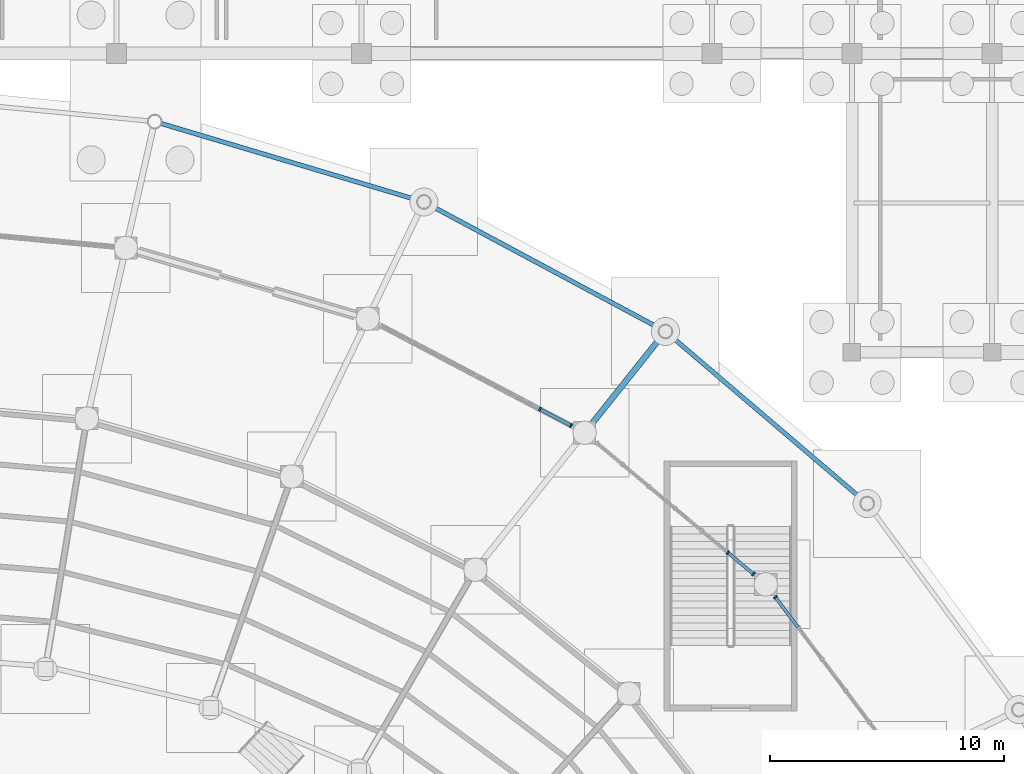
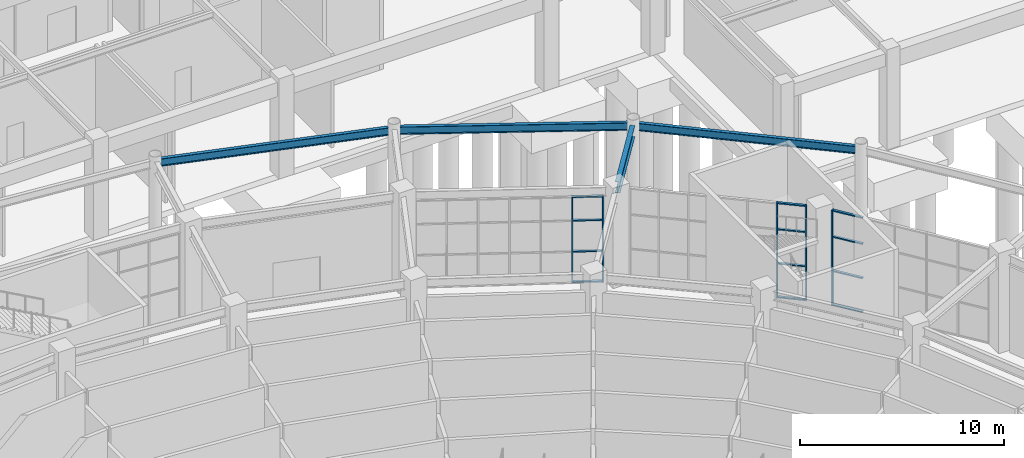
# One storey, part 51 of 121: 17 members, 4 beams, 3 elements without a shape of their own.
"""IFC4 building model written with IfcOpenShell, lengths in metres."""

from ifc_helpers import new_model, si_unit, direction, frame, origin, origin_2d, place, context, subcontext, project, spatial, rectangle, i_section, extrude, material, material_profile, profile_set, type_object, element, aggregate, save


model = new_model("IFC4")

# Units and contexts
model_context = context("Model", 3, precision=1e-05, world=origin(), true_north=direction((0.0, 1.0)))
body_context = subcontext(model_context, "Body", "Model", "MODEL_VIEW")
ifc_project = project(units=[si_unit("LENGTHUNIT", "METRE"), si_unit("AREAUNIT", "SQUARE_METRE"), si_unit("VOLUMEUNIT", "CUBIC_METRE"), si_unit("PLANEANGLEUNIT", "RADIAN"), si_unit("MASSUNIT", "GRAM", prefix="KILO")], contexts=[model_context])

# Site, building, storey
site_placement = place(None, origin())
site = spatial("IfcSite", under=ifc_project, at=site_placement, CompositionType="ELEMENT")
building_placement = place(site_placement, origin())
building = spatial("IfcBuilding", under=site, at=building_placement, Name="Cuetzalor Civic Arena", CompositionType="ELEMENT")
storey_placement = place(building_placement, origin())
storey = spatial("IfcBuildingStorey", under=building, at=storey_placement, Name="L00", CompositionType="ELEMENT", Elevation=0.0)

# Curtain wall, member
ifc_material_1 = material(Name="Anodised dark bronze aluminium and low-E solar glass", Category="aluminium")
curtain_wall_type_1 = type_object("IfcCurtainWallType", Name="UnitisedCW_8450x5700", PredefinedType="USERDEFINED", material=ifc_material_1)
curtain_wall_1_placement = place(storey_placement, origin())
curtain_wall_1 = element("IfcCurtainWall", 1, at=curtain_wall_1_placement, inside=storey, type_object=curtain_wall_type_1, Name="Drum Ground Recessed Concourse Curtain Wall L00-002", ObjectType="UNITISED CURTAIN WALL", PredefinedType="USERDEFINED")
ifc_material_2 = material(Name="Anodised dark bronze aluminium", Category="aluminium")
ifc_material_profile_1 = material_profile(ifc_material_2, rectangle(XDim=0.070068359375, YDim=0.179931640625, at=origin_2d()), Name="ALU MULLION 70x180")
ifc_profile_set_1 = profile_set([ifc_material_profile_1], Name="Anodised dark bronze aluminium")
member_type_1 = type_object("IfcMemberType", Name="CurtainWallMullion_65x180", PredefinedType="MULLION", material=ifc_profile_set_1)
member_1_placement = place(storey_placement, frame((38.71923828125, 25.017822265625, 0.0), z_axis=(0.0, 0.0, 1.0), x_axis=(0.600491594925, -0.799631067696, 0.0)))
member_1 = element("IfcMember", 2, at=member_1_placement, type_object=member_type_1, Name="CW-02 mullion 1", PredefinedType="MULLION", context=body_context, shape_type="SweptSolid", body=[
    extrude(rectangle(XDim=0.070068359375, YDim=0.179931640625, at=origin_2d()), origin(), (0.0, 0.0, 1.0), 5.699951171875),
])

# Curtain wall, members
ifc_material_3 = material(Name="Anodised dark bronze aluminium and low-E solar glass", Category="aluminium")
curtain_wall_type_2 = type_object("IfcCurtainWallType", Name="UnitisedCW_8800x5700", PredefinedType="USERDEFINED", material=ifc_material_3)
curtain_wall_2_placement = place(storey_placement, origin())
curtain_wall_2 = element("IfcCurtainWall", 3, at=curtain_wall_2_placement, inside=storey, type_object=curtain_wall_type_2, Name="Drum Ground Recessed Concourse Curtain Wall L00-003", ObjectType="UNITISED CURTAIN WALL", PredefinedType="USERDEFINED")
member_2_placement = place(storey_placement, frame((36.68359375, 26.923583984375, 0.0), z_axis=(0.0, 0.0, 1.0), x_axis=(0.766928030459, -0.641733119059, 0.0)))
member_2 = element("IfcMember", 4, at=member_2_placement, type_object=member_type_1, Name="CW-03 mullion 6", PredefinedType="MULLION", context=body_context, shape_type="SweptSolid", body=[
    extrude(rectangle(XDim=0.070068359375, YDim=0.179931640625, at=origin_2d()), origin(), (0.0, 0.0, 1.0), 5.699951171875),
])
member_3_placement = place(storey_placement, frame((37.783447265625, 26.00341796875, 0.0), z_axis=(0.0, 0.0, 1.0), x_axis=(0.766928030459, -0.641733119059, 0.0)))
member_3 = element("IfcMember", 5, at=member_3_placement, type_object=member_type_1, Name="CW-03 mullion 7", PredefinedType="MULLION", context=body_context, shape_type="SweptSolid", body=[
    extrude(rectangle(XDim=0.070068359375, YDim=0.179931640625, at=origin_2d()), origin(), (0.0, 0.0, 1.0), 5.699951171875),
])

ifc_material_4 = material(Name="Anodised dark bronze aluminium and low-E solar glass", Category="aluminium")
curtain_wall_type_3 = type_object("IfcCurtainWallType", Name="UnitisedCW_9250x5150", PredefinedType="USERDEFINED", material=ifc_material_4)
curtain_wall_3_placement = place(storey_placement, origin())
curtain_wall_3 = element("IfcCurtainWall", 6, at=curtain_wall_3_placement, inside=storey, type_object=curtain_wall_type_3, Name="Drum Ground Recessed Concourse Curtain Wall L00-004", ObjectType="UNITISED CURTAIN WALL", PredefinedType="USERDEFINED")
member_4_placement = place(storey_placement, frame((28.634521484375, 33.0625, 0.0), z_axis=(0.0, 0.0, 1.0), x_axis=(0.885118421147, -0.465365856662, 0.0)))
member_4 = element("IfcMember", 7, at=member_4_placement, type_object=member_type_1, Name="CW-04 mullion 6", PredefinedType="MULLION", context=body_context, shape_type="SweptSolid", body=[
    extrude(rectangle(XDim=0.070068359375, YDim=0.179931640625, at=origin_2d()), origin(), (0.0, 0.0, 1.0), 5.156982421875),
])
member_5_placement = place(storey_placement, frame((29.968017578125, 32.361572265625, 0.0), z_axis=(0.0, 0.0, 1.0), x_axis=(0.885118421147, -0.465365856662, 0.0)))
member_5 = element("IfcMember", 8, at=member_5_placement, type_object=member_type_1, Name="CW-04 mullion 7", PredefinedType="MULLION", context=body_context, shape_type="SweptSolid", body=[
    extrude(rectangle(XDim=0.070068359375, YDim=0.179931640625, at=origin_2d()), origin(), (0.0, 0.0, 1.0), 5.156982421875),
])

# Member
ifc_material_5 = material(Name="Anodised dark bronze aluminium", Category="aluminium")
ifc_material_profile_2 = material_profile(ifc_material_5, rectangle(XDim=0.139892578125, YDim=0.070068359375, at=origin_2d()), Name="ALU TRANSOM 70x140")
ifc_profile_set_2 = profile_set([ifc_material_profile_2], Name="Anodised dark bronze aluminium")
member_type_2 = type_object("IfcMemberType", Name="CurtainWallTransom_65x140", PredefinedType="USERDEFINED", material=ifc_profile_set_2)
member_6_placement = place(storey_placement, frame((38.740234375, 24.98974609375, 0.034912109375), z_axis=(0.600518840652, -0.799610606496, 0.0), x_axis=(0.799610606496, 0.600518840652, 0.0)))
member_6 = element("IfcMember", 9, at=member_6_placement, type_object=member_type_2, Name="CW-02 transom 1.1", ObjectType="TRANSOM", PredefinedType="USERDEFINED", context=body_context, shape_type="SweptSolid", body=[
    extrude(rectangle(XDim=0.139892578125, YDim=0.070068359375, at=origin_2d()), origin(), (0.0, 0.0, 1.0), 1.58056640625),
])

member_7_placement = place(storey_placement, frame((38.740234375, 24.98974609375, 2.052001953125), z_axis=(0.600518840652, -0.799610606496, 0.0), x_axis=(0.799610606496, 0.600518840652, 0.0)))
member_7 = element("IfcMember", 10, at=member_7_placement, type_object=member_type_2, Name="CW-02 transom 1.2", ObjectType="TRANSOM", PredefinedType="USERDEFINED", context=body_context, shape_type="SweptSolid", body=[
    extrude(rectangle(XDim=0.139892578125, YDim=0.070068359375, at=origin_2d()), origin(), (0.0, 0.0, 1.0), 1.58056640625),
])

member_8_placement = place(storey_placement, frame((38.740234375, 24.98974609375, 4.10400390625), z_axis=(0.600518840652, -0.799610606496, 0.0), x_axis=(0.799610606496, 0.600518840652, 0.0)))
member_8 = element("IfcMember", 11, at=member_8_placement, type_object=member_type_2, Name="CW-02 transom 1.3", ObjectType="TRANSOM", PredefinedType="USERDEFINED", context=body_context, shape_type="SweptSolid", body=[
    extrude(rectangle(XDim=0.139892578125, YDim=0.070068359375, at=origin_2d()), origin(), (0.0, 0.0, 1.0), 1.58056640625),
])

member_9_placement = place(storey_placement, frame((38.740234375, 24.98974609375, 5.6650390625), z_axis=(0.600518840652, -0.799610606496, 0.0), x_axis=(0.799610606496, 0.600518840652, 0.0)))
member_9 = element("IfcMember", 12, at=member_9_placement, type_object=member_type_2, Name="CW-02 transom 1.4", ObjectType="TRANSOM", PredefinedType="USERDEFINED", context=body_context, shape_type="SweptSolid", body=[
    extrude(rectangle(XDim=0.139892578125, YDim=0.070068359375, at=origin_2d()), origin(), (0.0, 0.0, 1.0), 1.58056640625),
])

aggregate(curtain_wall_1, [member_1, member_6, member_7, member_8, member_9])

member_10_placement = place(storey_placement, frame((36.71044921875, 26.901123046875, 0.034912109375), z_axis=(0.766972759582, -0.641679660001, 0.0), x_axis=(0.641679660001, 0.766972759582, 0.0)))
member_10 = element("IfcMember", 13, at=member_10_placement, type_object=member_type_2, Name="CW-03 transom 6.1", ObjectType="TRANSOM", PredefinedType="USERDEFINED", context=body_context, shape_type="SweptSolid", body=[
    extrude(rectangle(XDim=0.139892578125, YDim=0.070068359375, at=origin_2d()), origin(), (0.0, 0.0, 1.0), 1.364013671875),
])

member_11_placement = place(storey_placement, frame((36.71044921875, 26.901123046875, 2.052001953125), z_axis=(0.766972759582, -0.641679660001, 0.0), x_axis=(0.641679660001, 0.766972759582, 0.0)))
member_11 = element("IfcMember", 14, at=member_11_placement, type_object=member_type_2, Name="CW-03 transom 6.2", ObjectType="TRANSOM", PredefinedType="USERDEFINED", context=body_context, shape_type="SweptSolid", body=[
    extrude(rectangle(XDim=0.139892578125, YDim=0.070068359375, at=origin_2d()), origin(), (0.0, 0.0, 1.0), 1.364013671875),
])

member_12_placement = place(storey_placement, frame((36.71044921875, 26.901123046875, 4.10400390625), z_axis=(0.766972759582, -0.641679660001, 0.0), x_axis=(0.641679660001, 0.766972759582, 0.0)))
member_12 = element("IfcMember", 15, at=member_12_placement, type_object=member_type_2, Name="CW-03 transom 6.3", ObjectType="TRANSOM", PredefinedType="USERDEFINED", context=body_context, shape_type="SweptSolid", body=[
    extrude(rectangle(XDim=0.139892578125, YDim=0.070068359375, at=origin_2d()), origin(), (0.0, 0.0, 1.0), 1.364013671875),
])

member_13_placement = place(storey_placement, frame((36.71044921875, 26.901123046875, 5.6650390625), z_axis=(0.766972759582, -0.641679660001, 0.0), x_axis=(0.641679660001, 0.766972759582, 0.0)))
member_13 = element("IfcMember", 16, at=member_13_placement, type_object=member_type_2, Name="CW-03 transom 6.4", ObjectType="TRANSOM", PredefinedType="USERDEFINED", context=body_context, shape_type="SweptSolid", body=[
    extrude(rectangle(XDim=0.139892578125, YDim=0.070068359375, at=origin_2d()), origin(), (0.0, 0.0, 1.0), 1.364013671875),
])

aggregate(curtain_wall_2, [member_2, member_3, member_10, member_11, member_12, member_13])

member_14_placement = place(storey_placement, frame((28.66552734375, 33.04638671875, 0.034912109375), z_axis=(0.885098761997, -0.465403246134, 0.0), x_axis=(0.465403246134, 0.885098761997, 0.0)))
member_14 = element("IfcMember", 17, at=member_14_placement, type_object=member_type_2, Name="CW-04 transom 6.1", ObjectType="TRANSOM", PredefinedType="USERDEFINED", context=body_context, shape_type="SweptSolid", body=[
    extrude(rectangle(XDim=0.139892578125, YDim=0.070068359375, at=origin_2d()), origin(), (0.0, 0.0, 1.0), 1.436767578125),
])

member_15_placement = place(storey_placement, frame((28.66552734375, 33.04638671875, 1.85693359375), z_axis=(0.885098761997, -0.465403246134, 0.0), x_axis=(0.465403246134, 0.885098761997, 0.0)))
member_15 = element("IfcMember", 18, at=member_15_placement, type_object=member_type_2, Name="CW-04 transom 6.2", ObjectType="TRANSOM", PredefinedType="USERDEFINED", context=body_context, shape_type="SweptSolid", body=[
    extrude(rectangle(XDim=0.139892578125, YDim=0.070068359375, at=origin_2d()), origin(), (0.0, 0.0, 1.0), 1.436767578125),
])

member_16_placement = place(storey_placement, frame((28.66552734375, 33.04638671875, 3.712890625), z_axis=(0.885098761997, -0.465403246134, 0.0), x_axis=(0.465403246134, 0.885098761997, 0.0)))
member_16 = element("IfcMember", 19, at=member_16_placement, type_object=member_type_2, Name="CW-04 transom 6.3", ObjectType="TRANSOM", PredefinedType="USERDEFINED", context=body_context, shape_type="SweptSolid", body=[
    extrude(rectangle(XDim=0.139892578125, YDim=0.070068359375, at=origin_2d()), origin(), (0.0, 0.0, 1.0), 1.436767578125),
])

member_17_placement = place(storey_placement, frame((28.66552734375, 33.04638671875, 5.1220703125), z_axis=(0.885098761997, -0.465403246134, 0.0), x_axis=(0.465403246134, 0.885098761997, 0.0)))
member_17 = element("IfcMember", 20, at=member_17_placement, type_object=member_type_2, Name="CW-04 transom 6.4", ObjectType="TRANSOM", PredefinedType="USERDEFINED", context=body_context, shape_type="SweptSolid", body=[
    extrude(rectangle(XDim=0.139892578125, YDim=0.070068359375, at=origin_2d()), origin(), (0.0, 0.0, 1.0), 1.436767578125),
])

aggregate(curtain_wall_3, [member_4, member_5, member_14, member_15, member_16, member_17])

# Beams
ifc_material_6 = material(Name="Steel S355", Category="steel")
ifc_material_profile_3 = material_profile(ifc_material_6, i_section(OverallWidth=0.18994140625, OverallDepth=0.45703125, WebThickness=0.009033203125, FlangeThickness=0.014404296875, at=origin_2d()), Name="W460x74")
ifc_profile_set_3 = profile_set([ifc_material_profile_3], Name="Steel S355")
beam_type_1 = type_object("IfcBeamType", Name="FacadeSpandrelBeam_W460", PredefinedType="SPANDREL", material=ifc_profile_set_3)
beam_1_placement = place(storey_placement, frame((42.42822265625, 29.211669921875, 5.471435546875), z_axis=(-0.760676650628, 0.649130983076, 0.0), x_axis=(-0.649130983076, -0.760676650628, 0.0)))
element("IfcBeam", 21, at=beam_1_placement, inside=storey, type_object=beam_type_1, Name="Drum Perimeter Spandrel L00-S04", PredefinedType="SPANDREL", context=body_context, shape_type="SweptSolid", body=[
    extrude(i_section(OverallWidth=0.18994140625, OverallDepth=0.45703125, WebThickness=0.009033203125, FlangeThickness=0.014404296875, at=origin_2d()), origin(), (0.0, 0.0, 1.0), 10.77490234375),
])
beam_2_placement = place(storey_placement, frame((33.755859375, 36.53125, 5.471435546875), z_axis=(-0.881304552514, 0.472548712534, 0.0), x_axis=(-0.472548712534, -0.881304552514, 0.0)))
element("IfcBeam", 22, at=beam_2_placement, inside=storey, type_object=beam_type_1, Name="Drum Perimeter Spandrel L00-S05", PredefinedType="SPANDREL", context=body_context, shape_type="SweptSolid", body=[
    extrude(i_section(OverallWidth=0.18994140625, OverallDepth=0.45703125, WebThickness=0.009033203125, FlangeThickness=0.014404296875, at=origin_2d()), origin(), (0.0, 0.0, 1.0), 11.156005859375),
])
beam_3_placement = place(storey_placement, frame((23.390380859375, 42.023193359375, 5.471435546875), z_axis=(-0.958199215373, 0.28610184141, 0.0), x_axis=(-0.28610184141, -0.958199215373, 0.0)))
element("IfcBeam", 23, at=beam_3_placement, inside=storey, type_object=beam_type_1, Name="Drum Perimeter Spandrel L00-S06", PredefinedType="SPANDREL", context=body_context, shape_type="SweptSolid", body=[
    extrude(i_section(OverallWidth=0.18994140625, OverallDepth=0.45703125, WebThickness=0.009033203125, FlangeThickness=0.014404296875, at=origin_2d()), origin(), (0.0, 0.0, 1.0), 11.45263671875),
])
ifc_material_7 = material(Name="Steel S355", Category="steel")
ifc_material_profile_4 = material_profile(ifc_material_7, i_section(OverallWidth=0.2529296875, OverallDepth=0.677978515625, WebThickness=0.01171875, FlangeThickness=0.016357421875, at=origin_2d()), Name="W690x125")
ifc_profile_set_4 = profile_set([ifc_material_profile_4], Name="Steel S355")
beam_type_2 = type_object("IfcBeamType", Name="SteelPrimaryGirder_W690", PredefinedType="BEAM", material=ifc_profile_set_4)
beam_4_placement = place(storey_placement, frame((30.775390625, 32.336669921875, 5.361083984375), z_axis=(0.623515538789, 0.781810957258, 0.0), x_axis=(-0.781810957258, 0.623515538789, 0.0)))
element("IfcBeam", 24, at=beam_4_placement, inside=storey, type_object=beam_type_2, Name="Drum Radial Girder L00-R05", PredefinedType="BEAM", context=body_context, shape_type="SweptSolid", body=[
    extrude(i_section(OverallWidth=0.2529296875, OverallDepth=0.677978515625, WebThickness=0.01171875, FlangeThickness=0.016357421875, at=origin_2d()), origin(), (0.0, 0.0, 1.0), 4.89990234375),
])

save(model, "model.ifc")
